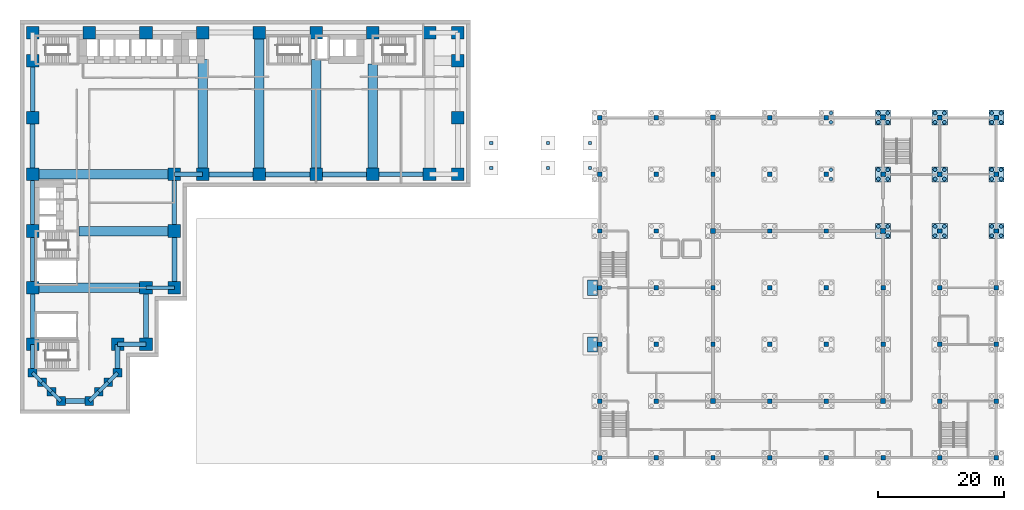
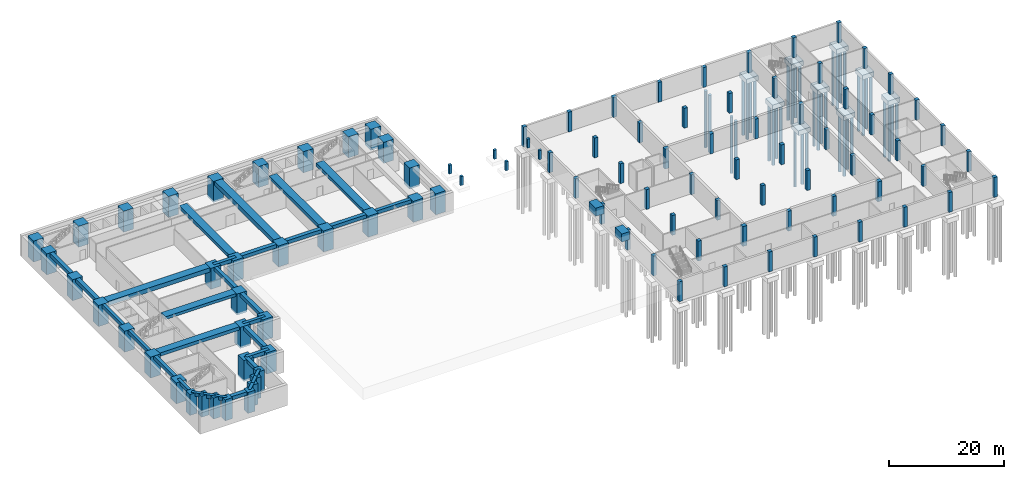
# One storey, part 2 of 12: 101 columns, 39 piles, 31 beams, 9 footings.
"""IFC4 building model written with IfcOpenShell, lengths in metres."""

from ifc_helpers import new_model, si_unit, direction, frame, origin, origin_2d, place, context, subcontext, project, spatial, rectangle, circle, extrude, material, layer, layer_set, material_profile, profile_set, type_object, element, save


model = new_model("IFC4")

# Units and contexts
model_context = context("Model", 3, precision=1e-05, world=origin(), true_north=direction((0.0, 1.0)))
body_context = subcontext(model_context, "Body", "Model", "MODEL_VIEW")
ifc_project = project(units=[si_unit("LENGTHUNIT", "METRE"), si_unit("AREAUNIT", "SQUARE_METRE"), si_unit("VOLUMEUNIT", "CUBIC_METRE"), si_unit("PLANEANGLEUNIT", "RADIAN"), si_unit("MASSUNIT", "GRAM", prefix="KILO")], contexts=[model_context])

# Site, building, storey
site_placement = place(None, origin())
site = spatial("IfcSite", under=ifc_project, at=site_placement, CompositionType="ELEMENT")
building_placement = place(site_placement, origin())
building = spatial("IfcBuilding", under=site, at=building_placement, Name="Firuza Court", CompositionType="ELEMENT")
storey_placement = place(building_placement, frame((0.0, 0.0, -4.5)))
storey = spatial("IfcBuildingStorey", under=building, at=storey_placement, Name="B1", CompositionType="ELEMENT", Elevation=-4.5)

# Piles
ifc_material_1 = material(Name="Concrete C40/50", Category="concrete")
ifc_material_profile_1 = material_profile(ifc_material_1, circle(Radius=0.300048828125, at=origin_2d()), Name="PILE 600")
ifc_profile_set_1 = profile_set([ifc_material_profile_1], Name="Concrete C40/50")
pile_type = type_object("IfcPileType", Name="HALL BORED PILE 600", PredefinedType="BORED", material=ifc_profile_set_1)
for number, where, z_axis, x_axis, name in (
    (1, (126.739990234375, 35.260009765625, -1.60009765625), (0.0, 0.0, -1.0), (1.0, 0.0, 0.0), "Bored pile 5-6.2"),
    (2, (126.739990234375, 36.739990234375, -1.60009765625), (0.0, 0.0, -1.0), (1.0, 0.0, 0.0), "Bored pile 5-6.4"),
    (3, (126.739990234375, 44.260009765625, -1.60009765625), (0.0, 0.0, -1.0), (1.0, 0.0, 0.0), "Bored pile 5-7.2"),
    (4, (126.739990234375, 45.739990234375, -1.60009765625), (0.0, 0.0, -1.0), (1.0, 0.0, 0.0), "Bored pile 5-7.4"),
    (5, (135.739990234375, 26.260009765625, -1.60009765625), (0.0, 0.0, -1.0), (1.0, 0.0, 0.0), "Bored pile 6-5.2"),
    (6, (134.260009765625, 27.739990234375, -1.60009765625), (0.0, 0.0, -1.0), (1.0, 0.0, 0.0), "Bored pile 6-5.3"),
    (7, (135.739990234375, 27.739990234375, -1.60009765625), (0.0, 0.0, -1.0), (1.0, 0.0, 0.0), "Bored pile 6-5.4"),
    (8, (134.260009765625, 35.260009765625, -1.60009765625), (0.0, 0.0, -1.0), (1.0, 0.0, 0.0), "Bored pile 6-6.1"),
    (9, (135.739990234375, 35.260009765625, -1.60009765625), (0.0, 0.0, -1.0), (1.0, 0.0, 0.0), "Bored pile 6-6.2"),
    (10, (134.260009765625, 36.739990234375, -1.60009765625), (0.0, 0.0, -1.0), (1.0, 0.0, 0.0), "Bored pile 6-6.3"),
    (11, (135.739990234375, 36.739990234375, -1.60009765625), (0.0, 0.0, -1.0), (1.0, 0.0, 0.0), "Bored pile 6-6.4"),
    (12, (134.260009765625, 44.260009765625, -1.60009765625), (0.0, 0.0, -1.0), (1.0, 0.0, 0.0), "Bored pile 6-7.1"),
    (13, (135.739990234375, 44.260009765625, -1.60009765625), (0.0, 0.0, -1.0), (1.0, 0.0, 0.0), "Bored pile 6-7.2"),
    (14, (134.260009765625, 45.739990234375, -1.60009765625), (0.0, 0.0, -1.0), (1.0, 0.0, 0.0), "Bored pile 6-7.3"),
    (15, (135.739990234375, 45.739990234375, -1.60009765625), (0.0, 0.0, -1.0), (1.0, 0.0, 0.0), "Bored pile 6-7.4"),
    (16, (143.260009765625, 26.260009765625, -1.60009765625), (0.0, 0.0, -1.0), (1.0, 0.0, 0.0), "Bored pile 7-5.1"),
    (17, (144.739990234375, 26.260009765625, -1.60009765625), (0.0, 0.0, -1.0), (1.0, 0.0, 0.0), "Bored pile 7-5.2"),
    (18, (143.260009765625, 27.739990234375, -1.60009765625), (0.0, 0.0, -1.0), (1.0, 0.0, 0.0), "Bored pile 7-5.3"),
    (19, (144.739990234375, 27.739990234375, -1.60009765625), (0.0, 0.0, -1.0), (1.0, 0.0, 0.0), "Bored pile 7-5.4"),
    (20, (143.260009765625, 35.260009765625, -1.60009765625), (0.0, 0.0, -1.0), (1.0, 0.0, 0.0), "Bored pile 7-6.1"),
    (21, (144.739990234375, 35.260009765625, -1.60009765625), (0.0, 0.0, -1.0), (1.0, 0.0, 0.0), "Bored pile 7-6.2"),
    (22, (143.260009765625, 36.739990234375, -1.60009765625), (0.0, 0.0, -1.0), (1.0, 0.0, 0.0), "Bored pile 7-6.3"),
    (23, (144.739990234375, 36.739990234375, -1.60009765625), (0.0, 0.0, -1.0), (1.0, 0.0, 0.0), "Bored pile 7-6.4"),
    (24, (143.260009765625, 44.260009765625, -1.60009765625), (0.0, 0.0, -1.0), (1.0, 0.0, 0.0), "Bored pile 7-7.1"),
    (25, (144.739990234375, 44.260009765625, -1.60009765625), (0.0, 0.0, -1.0), (1.0, 0.0, 0.0), "Bored pile 7-7.2"),
    (26, (143.260009765625, 45.739990234375, -1.60009765625), (0.0, 0.0, -1.0), (1.0, 0.0, 0.0), "Bored pile 7-7.3"),
    (27, (144.739990234375, 45.739990234375, -1.60009765625), (0.0, 0.0, -1.0), (1.0, 0.0, 0.0), "Bored pile 7-7.4"),
    (28, (152.260009765625, 26.260009765625, -1.60009765625), (0.0, 0.0, -1.0), (1.0, 0.0, 0.0), "Bored pile 8-5.1"),
    (29, (153.739990234375, 26.260009765625, -1.60009765625), (0.0, 0.0, -1.0), (1.0, 0.0, 0.0), "Bored pile 8-5.2"),
    (30, (152.260009765625, 27.739990234375, -1.60009765625), (0.0, 0.0, -1.0), (1.0, 0.0, 0.0), "Bored pile 8-5.3"),
    (31, (153.739990234375, 27.739990234375, -1.60009765625), (0.0, 0.0, -1.0), (1.0, 0.0, 0.0), "Bored pile 8-5.4"),
    (32, (152.260009765625, 35.260009765625, -1.60009765625), (0.0, 0.0, -1.0), (1.0, 0.0, 0.0), "Bored pile 8-6.1"),
    (33, (153.739990234375, 35.260009765625, -1.60009765625), (0.0, 0.0, -1.0), (1.0, 0.0, 0.0), "Bored pile 8-6.2"),
    (34, (152.260009765625, 36.739990234375, -1.60009765625), (0.0, 0.0, -1.0), (1.0, 0.0, 0.0), "Bored pile 8-6.3"),
    (35, (153.739990234375, 36.739990234375, -1.60009765625), (0.0, 0.0, -1.0), (1.0, 0.0, 0.0), "Bored pile 8-6.4"),
    (36, (152.260009765625, 44.260009765625, -1.60009765625), (0.0, 0.0, -1.0), (1.0, 0.0, 0.0), "Bored pile 8-7.1"),
    (37, (153.739990234375, 44.260009765625, -1.60009765625), (0.0, 0.0, -1.0), (1.0, 0.0, 0.0), "Bored pile 8-7.2"),
    (38, (152.260009765625, 45.739990234375, -1.60009765625), (0.0, 0.0, -1.0), (1.0, 0.0, 0.0), "Bored pile 8-7.3"),
    (39, (153.739990234375, 45.739990234375, -1.60009765625), (0.0, 0.0, -1.0), (1.0, 0.0, 0.0), "Bored pile 8-7.4"),
):
    element("IfcPile", number, at=place(storey_placement, frame(where, z_axis=z_axis, x_axis=x_axis)), inside=storey, type_object=pile_type, Name=name, PredefinedType="BORED", context=body_context, shape_type="SweptSolid", body=[
        extrude(circle(Radius=0.300048828125, at=origin_2d()), origin(), (0.0, 0.0, 1.0), 12.0),
    ])

# Footings
ifc_material_2 = material(Name="Concrete C40/50", Category="concrete")
ifc_layer = layer(ifc_material_2, 1.0)
ifc_layer_set = layer_set([ifc_layer], Name="Concrete C40/50")
footing_type = type_object("IfcFootingType", Name="HALL PILE CAP 2400X2400", PredefinedType="PILE_CAP", material=ifc_layer_set)
for number, where, z_axis, x_axis, name in (
    (40, (135.0, 27.0, -1.60009765625), (0.0, 0.0, 1.0), (1.0, 0.0, 0.0), "Pile cap 6-5"),
    (41, (135.0, 36.0, -1.60009765625), (0.0, 0.0, 1.0), (1.0, 0.0, 0.0), "Pile cap 6-6"),
    (42, (135.0, 45.0, -1.60009765625), (0.0, 0.0, 1.0), (1.0, 0.0, 0.0), "Pile cap 6-7"),
    (43, (144.0, 27.0, -1.60009765625), (0.0, 0.0, 1.0), (1.0, 0.0, 0.0), "Pile cap 7-5"),
    (44, (144.0, 36.0, -1.60009765625), (0.0, 0.0, 1.0), (1.0, 0.0, 0.0), "Pile cap 7-6"),
    (45, (144.0, 45.0, -1.60009765625), (0.0, 0.0, 1.0), (1.0, 0.0, 0.0), "Pile cap 7-7"),
    (46, (153.0, 27.0, -1.60009765625), (0.0, 0.0, 1.0), (1.0, 0.0, 0.0), "Pile cap 8-5"),
    (47, (153.0, 36.0, -1.60009765625), (0.0, 0.0, 1.0), (1.0, 0.0, 0.0), "Pile cap 8-6"),
    (48, (153.0, 45.0, -1.60009765625), (0.0, 0.0, 1.0), (1.0, 0.0, 0.0), "Pile cap 8-7"),
):
    element("IfcFooting", number, at=place(storey_placement, frame(where, z_axis=z_axis, x_axis=x_axis)), inside=storey, type_object=footing_type, Name=name, PredefinedType="PILE_CAP", context=body_context, shape_type="SweptSolid", body=[
        extrude(rectangle(XDim=2.39990234375, YDim=2.39990234375, at=origin_2d()), origin(), (0.0, 0.0, 1.0), 1.0),
    ])

# Columns
ifc_material_3 = material(Name="Concrete C40/50", Category="concrete")
ifc_material_profile_2 = material_profile(ifc_material_3, rectangle(XDim=0.5, YDim=0.5, at=origin_2d()), Name="RC 500X500")
ifc_profile_set_2 = profile_set([ifc_material_profile_2], Name="Concrete C40/50")
column_type_1 = type_object("IfcColumnType", Name="RC COLUMN 500X500", PredefinedType="COLUMN", material=ifc_profile_set_2)
for number, where, z_axis, x_axis, name in (
    (49, (72.800048828125, 37.0, 2.60009765625), (0.0, 0.0, 1.0), (1.0, 0.0, 0.0), "Arcade column 1 base"),
    (50, (72.800048828125, 41.0, 2.60009765625), (0.0, 0.0, 1.0), (1.0, 0.0, 0.0), "Arcade column 2 base"),
    (51, (81.800048828125, 37.0, 2.60009765625), (0.0, 0.0, 1.0), (1.0, 0.0, 0.0), "Arcade column 3 base"),
    (52, (81.800048828125, 41.0, 2.60009765625), (0.0, 0.0, 1.0), (1.0, 0.0, 0.0), "Arcade column 4 base"),
    (53, (88.5, 37.0, 2.60009765625), (0.0, 0.0, 1.0), (1.0, 0.0, 0.0), "Arcade column 5 base"),
    (54, (88.5, 41.0, 2.60009765625), (0.0, 0.0, 1.0), (1.0, 0.0, 0.0), "Arcade column 6 base"),
):
    element("IfcColumn", number, at=place(storey_placement, frame(where, z_axis=z_axis, x_axis=x_axis)), inside=storey, type_object=column_type_1, Name=name, PredefinedType="COLUMN", context=body_context, shape_type="SweptSolid", body=[
        extrude(rectangle(XDim=0.5, YDim=0.5, at=origin_2d()), origin(), (0.0, 0.0, 1.0), 1.89990234375),
    ])
ifc_material_4 = material(Name="Concrete C40/50", Category="concrete")
ifc_material_profile_3 = material_profile(ifc_material_4, rectangle(XDim=0.699951171875, YDim=0.699951171875, at=origin_2d()), Name="RC 700X700")
ifc_profile_set_3 = profile_set([ifc_material_profile_3], Name="Concrete C40/50")
column_type_2 = type_object("IfcColumnType", Name="RC COLUMN 700X700", PredefinedType="COLUMN", material=ifc_profile_set_3)
for number, where, z_axis, x_axis, name in (
    (55, (90.0, -9.0, 0.0), (0.0, 0.0, 1.0), (1.0, 0.0, 0.0), "Column 1-1 B1"),
    (56, (90.0, 0.0, 0.0), (0.0, 0.0, 1.0), (1.0, 0.0, 0.0), "Column 1-2 B1"),
    (57, (90.0, 9.0, 0.0), (0.0, 0.0, 1.0), (1.0, 0.0, 0.0), "Column 1-3 B1"),
    (58, (90.0, 18.0, 0.0), (0.0, 0.0, 1.0), (1.0, 0.0, 0.0), "Column 1-4 B1"),
    (59, (90.0, 27.0, 0.0), (0.0, 0.0, 1.0), (1.0, 0.0, 0.0), "Column 1-5 B1"),
    (60, (90.0, 36.0, 0.0), (0.0, 0.0, 1.0), (1.0, 0.0, 0.0), "Column 1-6 B1"),
    (61, (90.0, 45.0, 0.0), (0.0, 0.0, 1.0), (1.0, 0.0, 0.0), "Column 1-7 B1"),
    (62, (99.0, -9.0, 0.0), (0.0, 0.0, 1.0), (1.0, 0.0, 0.0), "Column 2-1 B1"),
    (63, (99.0, 0.0, 0.0), (0.0, 0.0, 1.0), (1.0, 0.0, 0.0), "Column 2-2 B1"),
    (64, (99.0, 9.0, 0.0), (0.0, 0.0, 1.0), (1.0, 0.0, 0.0), "Column 2-3 B1"),
    (65, (99.0, 18.0, 0.0), (0.0, 0.0, 1.0), (1.0, 0.0, 0.0), "Column 2-4 B1"),
    (66, (99.0, 27.0, 0.0), (0.0, 0.0, 1.0), (1.0, 0.0, 0.0), "Column 2-5 B1"),
    (67, (99.0, 36.0, 0.0), (0.0, 0.0, 1.0), (1.0, 0.0, 0.0), "Column 2-6 B1"),
    (68, (99.0, 45.0, 0.0), (0.0, 0.0, 1.0), (1.0, 0.0, 0.0), "Column 2-7 B1"),
    (69, (108.0, -9.0, 0.0), (0.0, 0.0, 1.0), (1.0, 0.0, 0.0), "Column 3-1 B1"),
    (70, (108.0, 9.0, 0.0), (0.0, 0.0, 1.0), (1.0, 0.0, 0.0), "Column 3-3 B1"),
    (71, (108.0, 18.0, 0.0), (0.0, 0.0, 1.0), (1.0, 0.0, 0.0), "Column 3-4 B1"),
    (72, (108.0, 36.0, 0.0), (0.0, 0.0, 1.0), (1.0, 0.0, 0.0), "Column 3-6 B1"),
    (73, (117.0, -9.0, 0.0), (0.0, 0.0, 1.0), (1.0, 0.0, 0.0), "Column 4-1 B1"),
    (74, (117.0, 0.0, 0.0), (0.0, 0.0, 1.0), (1.0, 0.0, 0.0), "Column 4-2 B1"),
    (75, (117.0, 9.0, 0.0), (0.0, 0.0, 1.0), (1.0, 0.0, 0.0), "Column 4-3 B1"),
    (76, (117.0, 18.0, 0.0), (0.0, 0.0, 1.0), (1.0, 0.0, 0.0), "Column 4-4 B1"),
    (77, (117.0, 27.0, 0.0), (0.0, 0.0, 1.0), (1.0, 0.0, 0.0), "Column 4-5 B1"),
    (78, (117.0, 36.0, 0.0), (0.0, 0.0, 1.0), (1.0, 0.0, 0.0), "Column 4-6 B1"),
    (79, (117.0, 45.0, 0.0), (0.0, 0.0, 1.0), (1.0, 0.0, 0.0), "Column 4-7 B1"),
    (80, (126.0, -9.0, 0.0), (0.0, 0.0, 1.0), (1.0, 0.0, 0.0), "Column 5-1 B1"),
    (81, (126.0, 0.0, 0.0), (0.0, 0.0, 1.0), (1.0, 0.0, 0.0), "Column 5-2 B1"),
    (82, (126.0, 9.0, 0.0), (0.0, 0.0, 1.0), (1.0, 0.0, 0.0), "Column 5-3 B1"),
    (83, (126.0, 18.0, 0.0), (0.0, 0.0, 1.0), (1.0, 0.0, 0.0), "Column 5-4 B1"),
    (84, (126.0, 27.0, 0.0), (0.0, 0.0, 1.0), (1.0, 0.0, 0.0), "Column 5-5 B1"),
    (85, (126.0, 36.0, 0.0), (0.0, 0.0, 1.0), (1.0, 0.0, 0.0), "Column 5-6 B1"),
    (86, (126.0, 45.0, 0.0), (0.0, 0.0, 1.0), (1.0, 0.0, 0.0), "Column 5-7 B1"),
    (87, (135.0, -9.0, 0.0), (0.0, 0.0, 1.0), (1.0, 0.0, 0.0), "Column 6-1 B1"),
    (88, (135.0, 9.0, 0.0), (0.0, 0.0, 1.0), (1.0, 0.0, 0.0), "Column 6-3 B1"),
    (89, (135.0, 18.0, 0.0), (0.0, 0.0, 1.0), (1.0, 0.0, 0.0), "Column 6-4 B1"),
    (90, (135.0, 36.0, 0.0), (0.0, 0.0, 1.0), (1.0, 0.0, 0.0), "Column 6-6 B1"),
    (91, (144.0, -9.0, 0.0), (0.0, 0.0, 1.0), (1.0, 0.0, 0.0), "Column 7-1 B1"),
    (92, (144.0, 0.0, 0.0), (0.0, 0.0, 1.0), (1.0, 0.0, 0.0), "Column 7-2 B1"),
    (93, (144.0, 9.0, 0.0), (0.0, 0.0, 1.0), (1.0, 0.0, 0.0), "Column 7-3 B1"),
    (94, (144.0, 18.0, 0.0), (0.0, 0.0, 1.0), (1.0, 0.0, 0.0), "Column 7-4 B1"),
    (95, (144.0, 27.0, 0.0), (0.0, 0.0, 1.0), (1.0, 0.0, 0.0), "Column 7-5 B1"),
    (96, (144.0, 36.0, 0.0), (0.0, 0.0, 1.0), (1.0, 0.0, 0.0), "Column 7-6 B1"),
    (97, (144.0, 45.0, 0.0), (0.0, 0.0, 1.0), (1.0, 0.0, 0.0), "Column 7-7 B1"),
    (98, (153.0, -9.0, 0.0), (0.0, 0.0, 1.0), (1.0, 0.0, 0.0), "Column 8-1 B1"),
    (99, (153.0, 0.0, 0.0), (0.0, 0.0, 1.0), (1.0, 0.0, 0.0), "Column 8-2 B1"),
    (100, (153.0, 9.0, 0.0), (0.0, 0.0, 1.0), (1.0, 0.0, 0.0), "Column 8-3 B1"),
    (101, (153.0, 18.0, 0.0), (0.0, 0.0, 1.0), (1.0, 0.0, 0.0), "Column 8-4 B1"),
    (102, (153.0, 27.0, 0.0), (0.0, 0.0, 1.0), (1.0, 0.0, 0.0), "Column 8-5 B1"),
    (103, (153.0, 36.0, 0.0), (0.0, 0.0, 1.0), (1.0, 0.0, 0.0), "Column 8-6 B1"),
    (104, (153.0, 45.0, 0.0), (0.0, 0.0, 1.0), (1.0, 0.0, 0.0), "Column 8-7 B1"),
):
    element("IfcColumn", number, at=place(storey_placement, frame(where, z_axis=z_axis, x_axis=x_axis)), inside=storey, type_object=column_type_2, Name=name, PredefinedType="COLUMN", context=body_context, shape_type="SweptSolid", body=[
        extrude(rectangle(XDim=0.699951171875, YDim=0.699951171875, at=origin_2d()), origin(), (0.0, 0.0, 1.0), 4.199951171875),
    ])
ifc_material_5 = material(Name="Concrete C40/50", Category="concrete")
ifc_material_profile_4 = material_profile(ifc_material_5, rectangle(XDim=0.800048828125, YDim=0.800048828125, at=origin_2d()), Name="RC 800X800")
ifc_profile_set_4 = profile_set([ifc_material_profile_4], Name="Concrete C40/50")
column_type_3 = type_object("IfcColumnType", Name="RC COLUMN 800X800", PredefinedType="COLUMN", material=ifc_profile_set_4)
for number, where, z_axis, x_axis, name in (
    (105, (108.0, 0.0, 0.0), (0.0, 0.0, 1.0), (1.0, 0.0, 0.0), "Column 3-2 B1"),
    (106, (108.0, 27.0, 0.0), (0.0, 0.0, 1.0), (1.0, 0.0, 0.0), "Column 3-5 B1"),
    (107, (108.0, 45.0, 0.0), (0.0, 0.0, 1.0), (1.0, 0.0, 0.0), "Column 3-7 B1"),
    (108, (135.0, 0.0, 0.0), (0.0, 0.0, 1.0), (1.0, 0.0, 0.0), "Column 6-2 B1"),
    (109, (135.0, 27.0, 0.0), (0.0, 0.0, 1.0), (1.0, 0.0, 0.0), "Column 6-5 B1"),
    (110, (135.0, 45.0, 0.0), (0.0, 0.0, 1.0), (1.0, 0.0, 0.0), "Column 6-7 B1"),
):
    element("IfcColumn", number, at=place(storey_placement, frame(where, z_axis=z_axis, x_axis=x_axis)), inside=storey, type_object=column_type_3, Name=name, PredefinedType="COLUMN", context=body_context, shape_type="SweptSolid", body=[
        extrude(rectangle(XDim=0.800048828125, YDim=0.800048828125, at=origin_2d()), origin(), (0.0, 0.0, 1.0), 4.199951171875),
    ])
ifc_material_6 = material(Name="Concrete C40/50", Category="concrete")
ifc_material_profile_5 = material_profile(ifc_material_6, rectangle(XDim=1.60009765625, YDim=2.39990234375, at=origin_2d()), Name="RC 1600X2400")
ifc_profile_set_5 = profile_set([ifc_material_profile_5], Name="Concrete C40/50")
column_type_4 = type_object("IfcColumnType", Name="RC PORTAL PIER 1600X2400", PredefinedType="COLUMN", material=ifc_profile_set_5)
for number, where, z_axis, x_axis, name in (
    (111, (88.85009765625, 9.0, 2.800048828125), (0.0, 0.0, 1.0), (1.0, 0.0, 0.0), "Portal pier 1 B1"),
    (112, (88.85009765625, 18.0, 2.800048828125), (0.0, 0.0, 1.0), (1.0, 0.0, 0.0), "Portal pier 2 B1"),
):
    element("IfcColumn", number, at=place(storey_placement, frame(where, z_axis=z_axis, x_axis=x_axis)), inside=storey, type_object=column_type_4, Name=name, PredefinedType="COLUMN", context=body_context, shape_type="SweptSolid", body=[
        extrude(rectangle(XDim=1.60009765625, YDim=2.39990234375, at=origin_2d()), origin(), (0.0, 0.0, 1.0), 1.699951171875),
    ])
ifc_material_7 = material(Name="Concrete C80/95", Category="concrete")
ifc_material_profile_6 = material_profile(ifc_material_7, rectangle(XDim=1.39990234375, YDim=1.39990234375, at=origin_2d()), Name="RC 1400x1400")
ifc_profile_set_6 = profile_set([ifc_material_profile_6], Name="Concrete C80/95")
column_type_5 = type_object("IfcColumnType", Name="Stilt column RC 1400x1400 C80/95", PredefinedType="COLUMN", material=ifc_profile_set_6)
for number, where, z_axis, x_axis, name in (
    (113, (4.5, 0.0, -0.39990234375), (0.0, 0.0, 1.0), (1.0, 0.0, 0.0), "Column C-2D B1"),
    (114, (9.0, 0.0, -0.39990234375), (0.0, 0.0, 1.0), (1.0, 0.0, 0.0), "Column C-3D B1"),
    (115, (3.0, 1.5, -0.39990234375), (0.0, 0.0, 1.0), (1.0, 0.0, 0.0), "Column C-SA1 B1"),
    (116, (10.5, 1.5, -0.39990234375), (0.0, 0.0, 1.0), (1.0, 0.0, 0.0), "Column C-SA2 B1"),
    (117, (1.5, 3.0, -0.39990234375), (0.0, 0.0, 1.0), (1.0, 0.0, 0.0), "Column C-SA3 B1"),
    (118, (12.0, 3.0, -0.39990234375), (0.0, 0.0, 1.0), (1.0, 0.0, 0.0), "Column C-SA4 B1"),
    (119, (0.0, 4.5, -0.39990234375), (0.0, 0.0, 1.0), (1.0, 0.0, 0.0), "Column C-1E B1"),
    (120, (13.5, 4.5, -0.39990234375), (0.0, 0.0, 1.0), (1.0, 0.0, 0.0), "Column C-4E B1"),
):
    element("IfcColumn", number, at=place(storey_placement, frame(where, z_axis=z_axis, x_axis=x_axis)), inside=storey, type_object=column_type_5, Name=name, PredefinedType="COLUMN", context=body_context, shape_type="SweptSolid", body=[
        extrude(rectangle(XDim=1.39990234375, YDim=1.39990234375, at=origin_2d()), origin(), (0.0, 0.0, 1.0), 4.449951171875),
    ])
ifc_material_8 = material(Name="Concrete C80/95", Category="concrete")
ifc_material_profile_7 = material_profile(ifc_material_8, rectangle(XDim=2.0, YDim=2.0, at=origin_2d()), Name="RC 2000x2000")
ifc_profile_set_7 = profile_set([ifc_material_profile_7], Name="Concrete C80/95")
column_type_6 = type_object("IfcColumnType", Name="Stilt column RC 2000x2000 C80/95", PredefinedType="COLUMN", material=ifc_profile_set_7)
for number, where, z_axis, x_axis, name in (
    (121, (0.0, 9.0, -0.39990234375), (0.0, 0.0, 1.0), (1.0, 0.0, 0.0), "Column C-1F B1"),
    (122, (13.5, 9.0, -0.39990234375), (0.0, 0.0, 1.0), (1.0, 0.0, 0.0), "Column C-4F B1"),
    (123, (18.0, 9.0, -0.39990234375), (0.0, 0.0, 1.0), (1.0, 0.0, 0.0), "Column C-5F B1"),
    (124, (0.0, 18.0, -0.39990234375), (0.0, 0.0, 1.0), (1.0, 0.0, 0.0), "Column C-1H B1"),
    (125, (18.0, 18.0, -0.39990234375), (0.0, 0.0, 1.0), (1.0, 0.0, 0.0), "Column C-5H B1"),
    (126, (22.5, 18.0, -0.39990234375), (0.0, 0.0, 1.0), (1.0, 0.0, 0.0), "Column C-6H B1"),
    (127, (0.0, 27.0, -0.39990234375), (0.0, 0.0, 1.0), (1.0, 0.0, 0.0), "Column C-1K B1"),
    (128, (22.5, 27.0, -0.39990234375), (0.0, 0.0, 1.0), (1.0, 0.0, 0.0), "Column C-6K B1"),
    (129, (0.0, 36.0, -0.39990234375), (0.0, 0.0, 1.0), (1.0, 0.0, 0.0), "Column C-1M B1"),
    (130, (22.5, 36.0, -0.39990234375), (0.0, 0.0, 1.0), (1.0, 0.0, 0.0), "Column C-6M B1"),
    (131, (27.0, 36.0, -0.39990234375), (0.0, 0.0, 1.0), (1.0, 0.0, 0.0), "Column C-7M B1"),
    (132, (36.0, 36.0, -0.39990234375), (0.0, 0.0, 1.0), (1.0, 0.0, 0.0), "Column C-9M B1"),
    (133, (45.0, 36.0, -0.39990234375), (0.0, 0.0, 1.0), (1.0, 0.0, 0.0), "Column C-11M B1"),
    (134, (54.0, 36.0, -0.39990234375), (0.0, 0.0, 1.0), (1.0, 0.0, 0.0), "Column C-13M B1"),
    (135, (63.0, 36.0, -0.39990234375), (0.0, 0.0, 1.0), (1.0, 0.0, 0.0), "Column C-15M B1"),
    (136, (67.5, 36.0, -0.39990234375), (0.0, 0.0, 1.0), (1.0, 0.0, 0.0), "Column C-16M B1"),
    (137, (0.0, 45.0, -0.39990234375), (0.0, 0.0, 1.0), (1.0, 0.0, 0.0), "Column C-1P B1"),
    (138, (67.5, 45.0, -0.39990234375), (0.0, 0.0, 1.0), (1.0, 0.0, 0.0), "Column C-16P B1"),
    (139, (0.0, 54.0, -0.39990234375), (0.0, 0.0, 1.0), (1.0, 0.0, 0.0), "Column C-1R B1"),
    (140, (67.5, 54.0, -0.39990234375), (0.0, 0.0, 1.0), (1.0, 0.0, 0.0), "Column C-16R B1"),
    (141, (0.0, 58.5, -0.39990234375), (0.0, 0.0, 1.0), (1.0, 0.0, 0.0), "Column C-1S B1"),
    (142, (9.0, 58.5, -0.39990234375), (0.0, 0.0, 1.0), (1.0, 0.0, 0.0), "Column C-3S B1"),
    (143, (18.0, 58.5, -0.39990234375), (0.0, 0.0, 1.0), (1.0, 0.0, 0.0), "Column C-5S B1"),
    (144, (27.0, 58.5, -0.39990234375), (0.0, 0.0, 1.0), (1.0, 0.0, 0.0), "Column C-7S B1"),
    (145, (36.0, 58.5, -0.39990234375), (0.0, 0.0, 1.0), (1.0, 0.0, 0.0), "Column C-9S B1"),
    (146, (45.0, 58.5, -0.39990234375), (0.0, 0.0, 1.0), (1.0, 0.0, 0.0), "Column C-11S B1"),
    (147, (54.0, 58.5, -0.39990234375), (0.0, 0.0, 1.0), (1.0, 0.0, 0.0), "Column C-13S B1"),
    (148, (63.0, 58.5, -0.39990234375), (0.0, 0.0, 1.0), (1.0, 0.0, 0.0), "Column C-15S B1"),
    (149, (67.5, 58.5, -0.39990234375), (0.0, 0.0, 1.0), (1.0, 0.0, 0.0), "Column C-16S B1"),
):
    element("IfcColumn", number, at=place(storey_placement, frame(where, z_axis=z_axis, x_axis=x_axis)), inside=storey, type_object=column_type_6, Name=name, PredefinedType="COLUMN", context=body_context, shape_type="SweptSolid", body=[
        extrude(rectangle(XDim=2.0, YDim=2.0, at=origin_2d()), origin(), (0.0, 0.0, 1.0), 4.449951171875),
    ])

# Beams
ifc_material_9 = material(Name="Concrete C40/50", Category="concrete")
ifc_material_profile_8 = material_profile(ifc_material_9, rectangle(XDim=1.5, YDim=0.60009765625, at=origin_2d()), Name="RC 1500x600")
ifc_profile_set_8 = profile_set([ifc_material_profile_8], Name="Concrete C40/50")
beam_type_1 = type_object("IfcBeamType", Name="Band beam RC 1500x600 C40/50", PredefinedType="BEAM", material=ifc_profile_set_8)
beam_1_placement = place(storey_placement, frame((22.5, 27.0, 3.75), z_axis=(-1.0, 0.0, 0.0), x_axis=(0.0, -1.0, 0.0)))
element("IfcBeam", 150, at=beam_1_placement, inside=storey, type_object=beam_type_1, Name="Band beam FB3 level L00", PredefinedType="BEAM", context=body_context, shape_type="SweptSolid", body=[
    extrude(rectangle(XDim=1.5, YDim=0.60009765625, at=origin_2d()), origin(), (0.0, 0.0, 1.0), 15.14990234375),
])
ifc_material_10 = material(Name="Concrete C40/50", Category="concrete")
ifc_material_profile_9 = material_profile(ifc_material_10, rectangle(XDim=1.5, YDim=0.699951171875, at=origin_2d()), Name="RC 1500x700")
ifc_profile_set_9 = profile_set([ifc_material_profile_9], Name="Concrete C40/50")
beam_type_2 = type_object("IfcBeamType", Name="Band beam RC 1500x700 C40/50", PredefinedType="BEAM", material=ifc_profile_set_9)
beam_2_placement = place(storey_placement, frame((0.0, 18.0, 3.699951171875), z_axis=(1.0, 0.0, 0.0), x_axis=(0.0, 1.0, 0.0)))
element("IfcBeam", 151, at=beam_2_placement, inside=storey, type_object=beam_type_2, Name="Band beam FB1 level L00", PredefinedType="BEAM", context=body_context, shape_type="SweptSolid", body=[
    extrude(rectangle(XDim=1.5, YDim=0.699951171875, at=origin_2d()), origin(), (0.0, 0.0, 1.0), 18.0),
])
for number, where, z_axis, x_axis, name in (
    (152, (27.0, 36.0, 3.699951171875), (0.0, 1.0, 0.0), (-1.0, 0.0, 0.0), "Band beam FB1 level L00"),
    (153, (45.0, 36.0, 3.699951171875), (0.0, 1.0, 0.0), (-1.0, 0.0, 0.0), "Band beam FB1 level L00"),
):
    element("IfcBeam", number, at=place(storey_placement, frame(where, z_axis=z_axis, x_axis=x_axis)), inside=storey, type_object=beam_type_2, Name=name, PredefinedType="BEAM", context=body_context, shape_type="SweptSolid", body=[
        extrude(rectangle(XDim=1.5, YDim=0.699951171875, at=origin_2d()), origin(), (0.0, 0.0, 1.0), 18.199951171875),
    ])
beam_3_placement = place(storey_placement, frame((54.0, 36.0, 3.699951171875), z_axis=(0.0, 1.0, 0.0), x_axis=(-1.0, 0.0, 0.0)))
element("IfcBeam", 154, at=beam_3_placement, inside=storey, type_object=beam_type_2, Name="Band beam FB1 level L00", PredefinedType="BEAM", context=body_context, shape_type="SweptSolid", body=[
    extrude(rectangle(XDim=1.5, YDim=0.699951171875, at=origin_2d()), origin(), (0.0, 0.0, 1.0), 17.5),
])
ifc_material_11 = material(Name="Concrete C40/50", Category="concrete")
ifc_material_profile_10 = material_profile(ifc_material_11, rectangle(XDim=1.5, YDim=0.89990234375, at=origin_2d()), Name="RC 1500x900")
ifc_profile_set_10 = profile_set([ifc_material_profile_10], Name="Concrete C40/50")
beam_type_3 = type_object("IfcBeamType", Name="Band beam RC 1500x900 C40/50", PredefinedType="BEAM", material=ifc_profile_set_10)
for number, where, z_axis, x_axis, name in (
    (155, (0.0, 36.0, 3.60009765625), (1.0, 0.0, 0.0), (0.0, 1.0, 0.0), "Band beam FB2 level L00"),
    (156, (36.0, 36.0, 3.60009765625), (0.0, 1.0, 0.0), (-1.0, 0.0, 0.0), "Band beam FB2 level L00"),
):
    element("IfcBeam", number, at=place(storey_placement, frame(where, z_axis=z_axis, x_axis=x_axis)), inside=storey, type_object=beam_type_3, Name=name, PredefinedType="BEAM", context=body_context, shape_type="SweptSolid", body=[
        extrude(rectangle(XDim=1.5, YDim=0.89990234375, at=origin_2d()), origin(), (0.0, 0.0, 1.0), 22.5),
    ])
ifc_material_12 = material(Name="Concrete C40/50", Category="concrete")
ifc_material_profile_11 = material_profile(ifc_material_12, rectangle(XDim=0.60009765625, YDim=0.75, at=origin_2d()), Name="RC 600x750")
ifc_profile_set_11 = profile_set([ifc_material_profile_11], Name="Concrete C40/50")
beam_type_4 = type_object("IfcBeamType", Name="Spandrel beam RC 600x750 C40/50", PredefinedType="BEAM", material=ifc_profile_set_11)
beam_4_placement = place(storey_placement, frame((0.0, 4.5, 3.675048828125), z_axis=(0.707106781187, -0.707106781187, 0.0), x_axis=(0.707106781187, 0.707106781187, 0.0)))
element("IfcBeam", 157, at=beam_4_placement, inside=storey, type_object=beam_type_4, Name="Spandrel beam SP4 level L00", PredefinedType="BEAM", context=body_context, shape_type="SweptSolid", body=[
    extrude(rectangle(XDim=0.60009765625, YDim=0.75, at=origin_2d()), origin(), (0.0, 0.0, 1.0), 2.121337890625),
])
beam_5_placement = place(storey_placement, frame((0.0, 9.0, 3.675048828125), z_axis=(0.0, -1.0, 0.0), x_axis=(1.0, 0.0, 0.0)))
element("IfcBeam", 158, at=beam_5_placement, inside=storey, type_object=beam_type_4, Name="Spandrel beam SP4 level L00", PredefinedType="BEAM", context=body_context, shape_type="SweptSolid", body=[
    extrude(rectangle(XDim=0.60009765625, YDim=0.75, at=origin_2d()), origin(), (0.0, 0.0, 1.0), 4.5),
])
for number, where, z_axis, x_axis, name in (
    (159, (0.0, 27.0, 3.675048828125), (0.0, -1.0, 0.0), (1.0, 0.0, 0.0), "Spandrel beam SP4 level L00"),
    (160, (0.0, 36.0, 3.675048828125), (0.0, -1.0, 0.0), (1.0, 0.0, 0.0), "Spandrel beam SP4 level L00"),
):
    element("IfcBeam", number, at=place(storey_placement, frame(where, z_axis=z_axis, x_axis=x_axis)), inside=storey, type_object=beam_type_4, Name=name, PredefinedType="BEAM", context=body_context, shape_type="SweptSolid", body=[
        extrude(rectangle(XDim=0.60009765625, YDim=0.75, at=origin_2d()), origin(), (0.0, 0.0, 1.0), 9.0),
    ])
for number, where, z_axis, x_axis, name in (
    (161, (1.5, 3.0, 3.675048828125), (0.707106781187, -0.707106781187, 0.0), (0.707106781187, 0.707106781187, 0.0), "Spandrel beam SP4 level L00"),
    (162, (3.0, 1.5, 3.675048828125), (0.707106781187, -0.707106781187, 0.0), (0.707106781187, 0.707106781187, 0.0), "Spandrel beam SP4 level L00"),
    (163, (9.0, 0.0, 3.675048828125), (0.707106781187, 0.707106781187, 0.0), (-0.707106781187, 0.707106781187, 0.0), "Spandrel beam SP4 level L00"),
    (164, (10.5, 1.5, 3.675048828125), (0.707106781187, 0.707106781187, 0.0), (-0.707106781187, 0.707106781187, 0.0), "Spandrel beam SP4 level L00"),
    (165, (12.0, 3.0, 3.675048828125), (0.707106781187, 0.707106781187, 0.0), (-0.707106781187, 0.707106781187, 0.0), "Spandrel beam SP4 level L00"),
):
    element("IfcBeam", number, at=place(storey_placement, frame(where, z_axis=z_axis, x_axis=x_axis)), inside=storey, type_object=beam_type_4, Name=name, PredefinedType="BEAM", context=body_context, shape_type="SweptSolid", body=[
        extrude(rectangle(XDim=0.60009765625, YDim=0.75, at=origin_2d()), origin(), (0.0, 0.0, 1.0), 2.121337890625),
    ])
beam_6_placement = place(storey_placement, frame((18.0, 18.0, 3.675048828125), z_axis=(1.0, 0.0, 0.0), x_axis=(0.0, 1.0, 0.0)))
element("IfcBeam", 166, at=beam_6_placement, inside=storey, type_object=beam_type_4, Name="Spandrel beam SP4 level L00", PredefinedType="BEAM", context=body_context, shape_type="SweptSolid", body=[
    extrude(rectangle(XDim=0.60009765625, YDim=0.75, at=origin_2d()), origin(), (0.0, 0.0, 1.0), 4.5),
])
ifc_material_13 = material(Name="Concrete C40/50", Category="concrete")
ifc_material_profile_12 = material_profile(ifc_material_13, rectangle(XDim=0.699951171875, YDim=0.75, at=origin_2d()), Name="RC 700x750")
ifc_profile_set_12 = profile_set([ifc_material_profile_12], Name="Concrete C40/50")
beam_type_5 = type_object("IfcBeamType", Name="Spandrel beam RC 700x750 C40/50", PredefinedType="BEAM", material=ifc_profile_set_12)
for number, where, z_axis, x_axis, name in (
    (167, (0.0, 18.0, 3.675048828125), (0.0, -1.0, 0.0), (1.0, 0.0, 0.0), "Spandrel beam SP5 level L00"),
    (168, (0.0, 54.0, 3.675048828125), (0.0, -1.0, 0.0), (1.0, 0.0, 0.0), "Spandrel beam SP5 level L00"),
):
    element("IfcBeam", number, at=place(storey_placement, frame(where, z_axis=z_axis, x_axis=x_axis)), inside=storey, type_object=beam_type_5, Name=name, PredefinedType="BEAM", context=body_context, shape_type="SweptSolid", body=[
        extrude(rectangle(XDim=0.699951171875, YDim=0.75, at=origin_2d()), origin(), (0.0, 0.0, 1.0), 9.0),
    ])
beam_7_placement = place(storey_placement, frame((13.5, 9.0, 3.675048828125), z_axis=(1.0, 0.0, 0.0), x_axis=(0.0, 1.0, 0.0)))
element("IfcBeam", 169, at=beam_7_placement, inside=storey, type_object=beam_type_5, Name="Spandrel beam SP5 level L00", PredefinedType="BEAM", context=body_context, shape_type="SweptSolid", body=[
    extrude(rectangle(XDim=0.699951171875, YDim=0.75, at=origin_2d()), origin(), (0.0, 0.0, 1.0), 4.5),
])
beam_8_placement = place(storey_placement, frame((22.5, 27.0, 3.675048828125), z_axis=(0.0, 1.0, 0.0), x_axis=(-1.0, 0.0, 0.0)))
element("IfcBeam", 170, at=beam_8_placement, inside=storey, type_object=beam_type_5, Name="Spandrel beam SP5 level L00", PredefinedType="BEAM", context=body_context, shape_type="SweptSolid", body=[
    extrude(rectangle(XDim=0.699951171875, YDim=0.75, at=origin_2d()), origin(), (0.0, 0.0, 1.0), 9.0),
])
beam_9_placement = place(storey_placement, frame((22.5, 36.0, 3.675048828125), z_axis=(1.0, 0.0, 0.0), x_axis=(0.0, 1.0, 0.0)))
element("IfcBeam", 171, at=beam_9_placement, inside=storey, type_object=beam_type_5, Name="Spandrel beam SP5 level L00", PredefinedType="BEAM", context=body_context, shape_type="SweptSolid", body=[
    extrude(rectangle(XDim=0.699951171875, YDim=0.75, at=origin_2d()), origin(), (0.0, 0.0, 1.0), 4.5),
])
beam_10_placement = place(storey_placement, frame((54.0, 36.0, 3.675048828125), z_axis=(1.0, 0.0, 0.0), x_axis=(0.0, 1.0, 0.0)))
element("IfcBeam", 172, at=beam_10_placement, inside=storey, type_object=beam_type_5, Name="Spandrel beam SP5 level L00", PredefinedType="BEAM", context=body_context, shape_type="SweptSolid", body=[
    extrude(rectangle(XDim=0.699951171875, YDim=0.75, at=origin_2d()), origin(), (0.0, 0.0, 1.0), 9.0),
])
ifc_material_14 = material(Name="Concrete C40/50", Category="concrete")
ifc_material_profile_13 = material_profile(ifc_material_14, rectangle(XDim=0.800048828125, YDim=0.75, at=origin_2d()), Name="RC 800x750")
ifc_profile_set_13 = profile_set([ifc_material_profile_13], Name="Concrete C40/50")
beam_type_6 = type_object("IfcBeamType", Name="Spandrel beam RC 800x750 C40/50", PredefinedType="BEAM", material=ifc_profile_set_13)
beam_11_placement = place(storey_placement, frame((0.0, 45.0, 3.675048828125), z_axis=(0.0, -1.0, 0.0), x_axis=(1.0, 0.0, 0.0)))
element("IfcBeam", 173, at=beam_11_placement, inside=storey, type_object=beam_type_6, Name="Spandrel beam SP6 level L00", PredefinedType="BEAM", context=body_context, shape_type="SweptSolid", body=[
    extrude(rectangle(XDim=0.800048828125, YDim=0.75, at=origin_2d()), origin(), (0.0, 0.0, 1.0), 9.0),
])
for number, where, z_axis, x_axis, name in (
    (174, (4.5, 0.0, 3.675048828125), (1.0, 0.0, 0.0), (0.0, 1.0, 0.0), "Spandrel beam SP6 level L00"),
    (175, (13.5, 4.5, 3.675048828125), (0.0, 1.0, 0.0), (-1.0, 0.0, 0.0), "Spandrel beam SP6 level L00"),
):
    element("IfcBeam", number, at=place(storey_placement, frame(where, z_axis=z_axis, x_axis=x_axis)), inside=storey, type_object=beam_type_6, Name=name, PredefinedType="BEAM", context=body_context, shape_type="SweptSolid", body=[
        extrude(rectangle(XDim=0.800048828125, YDim=0.75, at=origin_2d()), origin(), (0.0, 0.0, 1.0), 4.5),
    ])
for number, where, z_axis, x_axis, name in (
    (176, (18.0, 9.0, 3.675048828125), (0.0, 1.0, 0.0), (-1.0, 0.0, 0.0), "Spandrel beam SP6 level L00"),
    (177, (22.5, 18.0, 3.675048828125), (0.0, 1.0, 0.0), (-1.0, 0.0, 0.0), "Spandrel beam SP6 level L00"),
    (178, (27.0, 36.0, 3.675048828125), (1.0, 0.0, 0.0), (0.0, 1.0, 0.0), "Spandrel beam SP6 level L00"),
    (179, (36.0, 36.0, 3.675048828125), (1.0, 0.0, 0.0), (0.0, 1.0, 0.0), "Spandrel beam SP6 level L00"),
    (180, (45.0, 36.0, 3.675048828125), (1.0, 0.0, 0.0), (0.0, 1.0, 0.0), "Spandrel beam SP6 level L00"),
):
    element("IfcBeam", number, at=place(storey_placement, frame(where, z_axis=z_axis, x_axis=x_axis)), inside=storey, type_object=beam_type_6, Name=name, PredefinedType="BEAM", context=body_context, shape_type="SweptSolid", body=[
        extrude(rectangle(XDim=0.800048828125, YDim=0.75, at=origin_2d()), origin(), (0.0, 0.0, 1.0), 9.0),
    ])

save(model, "model.ifc")
